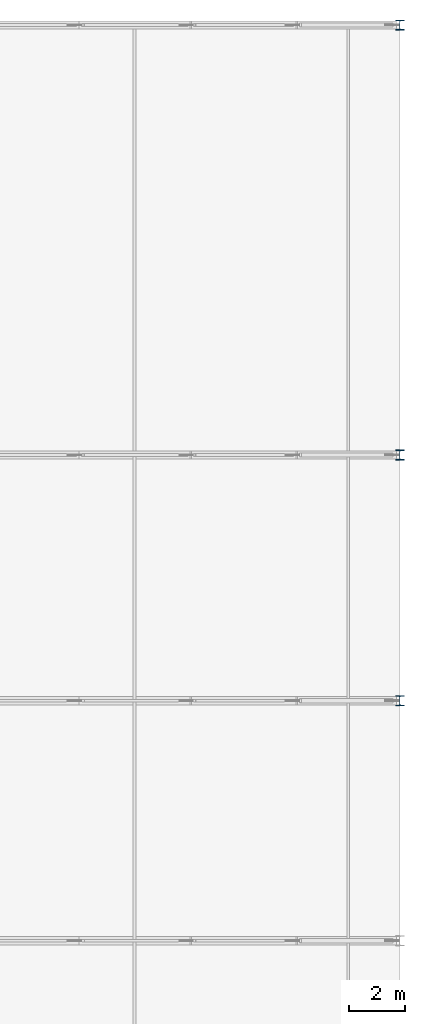
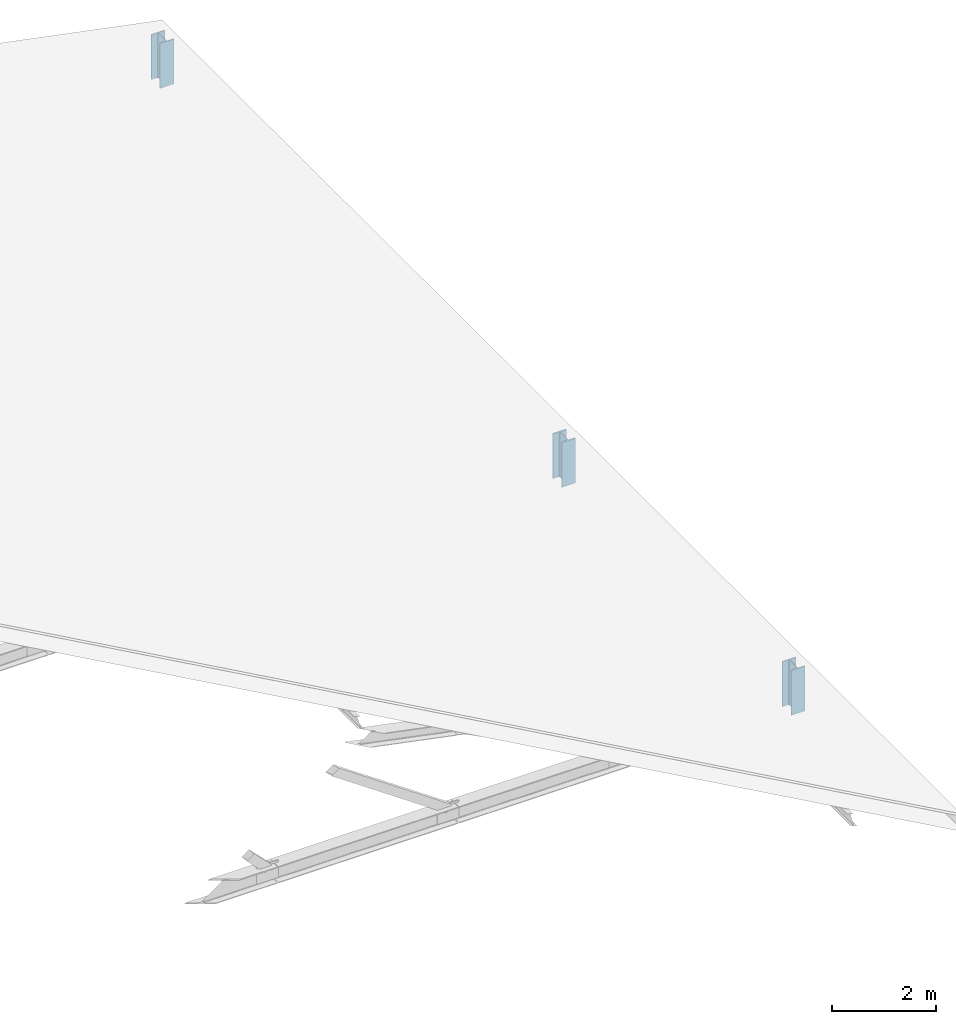
# One storey, part 6 of 47: 3 columns.
"""IFC4 building model written with IfcOpenShell, lengths in metres."""

from ifc_helpers import new_model, si_unit, direction, frame, origin, origin_2d, place, context, subcontext, project, spatial, i_section, extrude, material, material_profile, profile_set, type_object, element, save


model = new_model("IFC4")

# Units and contexts
model_context = context("Model", 3, precision=1e-05, world=origin(), true_north=direction((0.0, 1.0)))
body_context = subcontext(model_context, "Body", "Model", "MODEL_VIEW")
ifc_project = project(units=[si_unit("LENGTHUNIT", "METRE"), si_unit("AREAUNIT", "SQUARE_METRE"), si_unit("VOLUMEUNIT", "CUBIC_METRE"), si_unit("PLANEANGLEUNIT", "RADIAN"), si_unit("MASSUNIT", "GRAM", prefix="KILO")], contexts=[model_context])

# Site, building, storey
site_placement = place(None, origin())
site = spatial("IfcSite", under=ifc_project, at=site_placement, CompositionType="ELEMENT")
building_placement = place(site_placement, origin())
building = spatial("IfcBuilding", under=site, at=building_placement, Name="Muzn Square Opera House", CompositionType="ELEMENT")
storey_placement = place(building_placement, frame((0.0, 0.0, 31.0)))
storey = spatial("IfcBuildingStorey", under=building, at=storey_placement, Name="RF-1", CompositionType="ELEMENT", Elevation=31.0)

# Columns
ifc_material = material(Name="Steel S355", Category="steel")
ifc_material_profile = material_profile(ifc_material, i_section(OverallWidth=0.300048828125, OverallDepth=0.360107421875, WebThickness=0.012451171875, FlangeThickness=0.0224609375, FilletRadius=0.027099609375, at=origin_2d()), Name="HEB 360", Category="steel")
ifc_profile_set = profile_set([ifc_material_profile], Name="Steel S355")
column_type = type_object("IfcColumnType", Name="Steel Gallery Column HEB360", PredefinedType="COLUMN", material=ifc_profile_set)
for number, where, z_axis, x_axis, name in (
    (1, (170.0, 89.800048828125, -7.60009765625), (0.0, 0.0, 1.0), (1.0, 0.0, 0.0), "Rehearsal Roof Truss Eave Pedestal T3-E"),
    (2, (170.0, 98.60009765625, -7.60009765625), (0.0, 0.0, 1.0), (1.0, 0.0, 0.0), "Rehearsal Roof Truss Eave Pedestal T4-E"),
    (3, (170.0, 114.0, -7.60009765625), (0.0, 0.0, 1.0), (1.0, 0.0, 0.0), "Rehearsal Roof Truss Eave Pedestal T5-E"),
):
    element("IfcColumn", number, at=place(storey_placement, frame(where, z_axis=z_axis, x_axis=x_axis)), inside=storey, type_object=column_type, Name=name, PredefinedType="COLUMN", context=body_context, shape_type="SweptSolid", body=[
        extrude(i_section(OverallWidth=0.300048828125, OverallDepth=0.360107421875, WebThickness=0.012451171875, FlangeThickness=0.0224609375, FilletRadius=0.027099609375, at=origin_2d()), origin(), (0.0, 0.0, 1.0), 1.050048828125),
    ])

save(model, "model.ifc")
